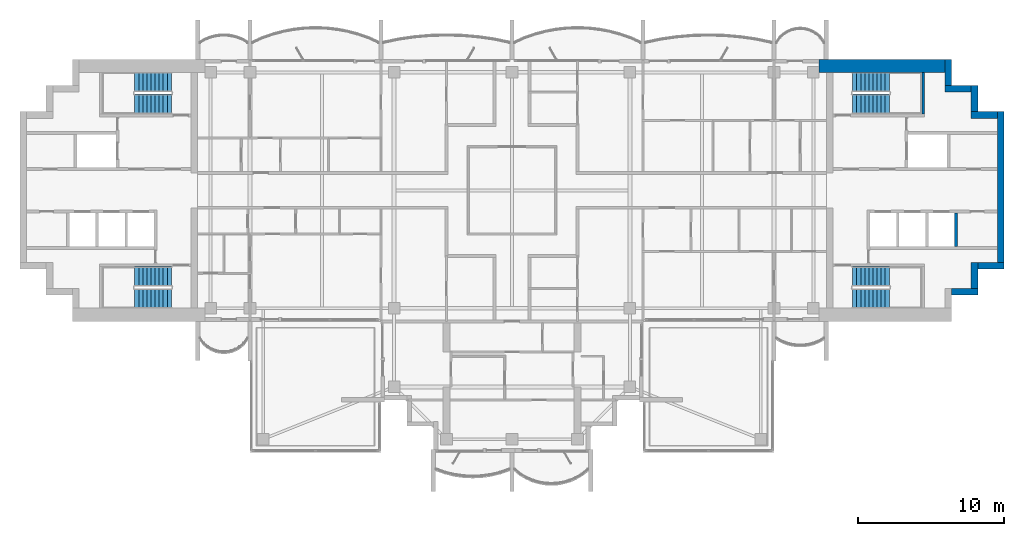
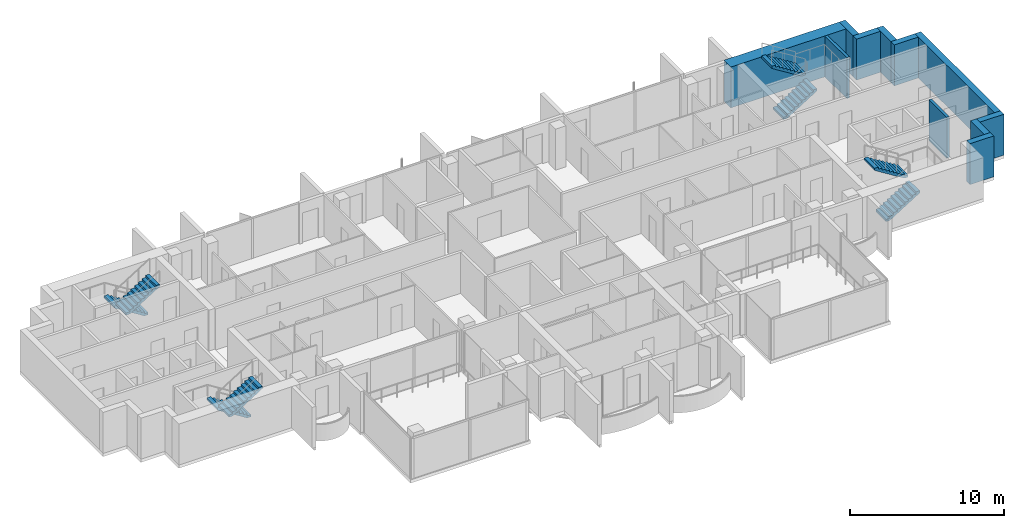
# One storey, part 12 of 16: 11 walls, 8 stair flights, 4 elements without a shape of their own.
"""IFC4 building model written with IfcOpenShell, lengths in metres."""

from ifc_helpers import new_model, si_unit, direction, frame, frame_2d, origin, place, context, subcontext, project, spatial, polyline, rectangle, outline, extrude, material, layer, layer_set, type_object, element, aggregate, save


model = new_model("IFC4")

# Units and contexts
model_context = context("Model", 3, precision=1e-05, world=origin(), true_north=direction((0.0, 1.0)))
body_context = subcontext(model_context, "Body", "Model", "MODEL_VIEW")
ifc_project = project(units=[si_unit("LENGTHUNIT", "METRE"), si_unit("AREAUNIT", "SQUARE_METRE"), si_unit("VOLUMEUNIT", "CUBIC_METRE"), si_unit("PLANEANGLEUNIT", "RADIAN"), si_unit("MASSUNIT", "GRAM", prefix="KILO")], contexts=[model_context])

# Site, building, storey
site_placement = place(None, origin())
site = spatial("IfcSite", under=ifc_project, at=site_placement, CompositionType="ELEMENT")
building_placement = place(site_placement, origin())
building = spatial("IfcBuilding", under=site, at=building_placement, Name="Perihelion Cross Residences", CompositionType="ELEMENT")
storey_placement = place(building_placement, frame((0.0, 0.0, 267.5)))
storey = spatial("IfcBuildingStorey", under=building, at=storey_placement, Name="L68", CompositionType="ELEMENT", Elevation=267.5)

# Walls
ifc_material_1 = material(Name="Concrete C60/75", Category="concrete")
ifc_layer_1 = layer(ifc_material_1, 0.449951171875)
ifc_layer_set_1 = layer_set([ifc_layer_1], Name="Core wall, outer 450")
wall_type_1 = type_object("IfcWallType", Name="Core wall, outer 450", PredefinedType="SHEAR", material=ifc_layer_set_1)
for number, where, z_axis, x_axis, name in (
    (1, (30.199951171875, -6.97509765625, 0.0), (0.0, 0.0, 1.0), (1.0, 0.0, 0.0), "East core core wall, outer"),
    (2, (31.77490234375, -6.75, 0.0), (0.0, 0.0, 1.0), (0.0, 1.0, 0.0), "East core core wall, outer"),
    (3, (32.0, -5.175048828125, 0.0), (0.0, 0.0, 1.0), (1.0, 0.0, 0.0), "East core core wall, outer"),
):
    element("IfcWall", number, at=place(storey_placement, frame(where, z_axis=z_axis, x_axis=x_axis)), inside=storey, type_object=wall_type_1, Name=name, PredefinedType="SHEAR", context=body_context, shape_type="SweptSolid", body=[
        extrude(rectangle(XDim=1.800048828125, YDim=0.449951171875, at=frame_2d((0.89990234375, 0.0))), origin(), (0.0, 0.0, 1.0), 3.25),
    ])
wall_1_placement = place(storey_placement, frame((33.574951171875, -4.949951171875, 0.0), z_axis=(0.0, 0.0, 1.0), x_axis=(0.0, 1.0, 0.0)))
element("IfcWall", 4, at=wall_1_placement, inside=storey, type_object=wall_type_1, Name="East core core wall, outer", PredefinedType="SHEAR", context=body_context, shape_type="SweptSolid", body=[
    extrude(rectangle(XDim=10.349853515625, YDim=0.449951171875, at=frame_2d((5.1748046875, 0.0))), origin(), (0.0, 0.0, 1.0), 3.25),
])
for number, where, z_axis, x_axis, name in (
    (5, (31.550048828125, 5.175048828125, 0.0), (0.0, 0.0, 1.0), (1.0, 0.0, 0.0), "East core core wall, outer"),
    (6, (31.77490234375, 5.39990234375, 0.0), (0.0, 0.0, 1.0), (0.0, 1.0, 0.0), "East core core wall, outer"),
    (7, (29.75, 6.97509765625, 0.0), (0.0, 0.0, 1.0), (1.0, 0.0, 0.0), "East core core wall, outer"),
    (8, (29.97509765625, 7.199951171875, 0.0), (0.0, 0.0, 1.0), (0.0, 1.0, 0.0), "East core core wall, outer"),
):
    element("IfcWall", number, at=place(storey_placement, frame(where, z_axis=z_axis, x_axis=x_axis)), inside=storey, type_object=wall_type_1, Name=name, PredefinedType="SHEAR", context=body_context, shape_type="SweptSolid", body=[
        extrude(rectangle(XDim=1.800048828125, YDim=0.449951171875, at=frame_2d((0.89990234375, 0.0))), origin(), (0.0, 0.0, 1.0), 3.25),
    ])
ifc_material_2 = material(Name="Concrete C60/75", Category="concrete")
ifc_layer_2 = layer(ifc_material_2, 0.89990234375)
ifc_layer_set_2 = layer_set([ifc_layer_2], Name="Core wall, outer 900")
wall_type_2 = type_object("IfcWallType", Name="Core wall, outer 900", PredefinedType="SHEAR", material=ifc_layer_set_2)
wall_2_placement = place(storey_placement, frame((21.10009765625, 8.550048828125, 0.0), z_axis=(0.0, 0.0, 1.0), x_axis=(1.0, 0.0, 0.0)))
element("IfcWall", 9, at=wall_2_placement, inside=storey, type_object=wall_type_2, Name="East core core wall, outer", PredefinedType="SHEAR", context=body_context, shape_type="SweptSolid", body=[
    extrude(rectangle(XDim=8.64990234375, YDim=0.89990234375, at=frame_2d((4.324951171875, 0.0))), origin(), (0.0, 0.0, 1.0), 3.25),
])
ifc_material_3 = material(Name="Concrete C50/60", Category="concrete")
ifc_layer_3 = layer(ifc_material_3, 0.199951171875)
ifc_layer_set_3 = layer_set([ifc_layer_3], Name="Shaft wall 200")
wall_type_3 = type_object("IfcWallType", Name="Shaft wall 200", PredefinedType="SOLIDWALL", material=ifc_layer_set_3)
wall_3_placement = place(storey_placement, frame((30.5, -3.85009765625, 0.0), z_axis=(0.0, 0.0, 1.0), x_axis=(0.0, 1.0, 0.0)))
element("IfcWall", 10, at=wall_3_placement, inside=storey, type_object=wall_type_3, Name="East core shaft wall", PredefinedType="SOLIDWALL", context=body_context, shape_type="SweptSolid", body=[
    extrude(rectangle(XDim=2.300048828125, YDim=0.199951171875, at=frame_2d((1.14990234375, 0.0))), origin(), (0.0, 0.0, 1.0), 3.25),
])
ifc_material_4 = material(Name="Concrete C50/60", Category="concrete")
ifc_layer_4 = layer(ifc_material_4, 0.199951171875)
ifc_layer_set_4 = layer_set([ifc_layer_4], Name="Stair wall 200")
wall_type_4 = type_object("IfcWallType", Name="Stair wall 200", PredefinedType="SOLIDWALL", material=ifc_layer_set_4)
wall_4_placement = place(storey_placement, frame((28.25, 5.25, 0.0), z_axis=(0.0, 0.0, 1.0), x_axis=(0.0, 1.0, 0.0)))
element("IfcWall", 11, at=wall_4_placement, inside=storey, type_object=wall_type_4, Name="East core stair wall", PredefinedType="SOLIDWALL", context=body_context, shape_type="SweptSolid", body=[
    extrude(rectangle(XDim=2.85009765625, YDim=0.199951171875, at=frame_2d((1.425048828125, 0.0))), origin(), (0.0, 0.0, 1.0), 3.25),
])

# Stair, stair flights
ifc_material_5 = material(Name="Concrete C40/50", Category="concrete")
stair_type = type_object("IfcStairType", Name="Exit stair, half-turn", PredefinedType="HALF_TURN_STAIR", material=ifc_material_5)
stair_1_placement = place(storey_placement, origin())
stair_1 = element("IfcStair", 12, at=stair_1_placement, inside=storey, type_object=stair_type, Name="L68 East core exit stair 1", PredefinedType="HALF_TURN_STAIR")
ifc_material_6 = material(Name="Concrete C40/50", Category="concrete")
stair_flight_type = type_object("IfcStairFlightType", Name="Exit stair flight", PredefinedType="STRAIGHT", material=ifc_material_6)
stair_flight_1_placement = place(storey_placement, frame((23.39990234375, 5.925048828125, 0.0), z_axis=(0.0, 0.0, 1.0), x_axis=(1.0, 0.0, 0.0)))
stair_flight_1 = element("IfcStairFlight", 13, at=stair_flight_1_placement, type_object=stair_flight_type, Name="ST-E1 flight 1", NumberOfRisers=10, NumberOfTreads=9, PredefinedType="STRAIGHT", RiserHeight=0.175, TreadLength=0.28, context=body_context, shape_type="SweptSolid", body=[
    extrude(outline(polyline([(0.0, 0.0), (0.0, 0.175048828125), (0.280029296875, 0.175048828125), (0.280029296875, 0.35009765625), (0.56005859375, 0.35009765625), (0.56005859375, 0.52490234375), (0.840087890625, 0.52490234375), (0.840087890625, 0.699951171875), (1.1201171875, 0.699951171875), (1.1201171875, 0.875), (1.39990234375, 0.875), (1.39990234375, 1.050048828125), (1.679931640625, 1.050048828125), (1.679931640625, 1.22509765625), (1.9599609375, 1.22509765625), (1.9599609375, 1.39990234375), (2.239990234375, 1.39990234375), (2.239990234375, 1.574951171875), (2.52001953125, 1.574951171875), (2.52001953125, 1.75), (2.52001953125, 1.398193359375), (0.28271484375, 0.0), (0.0, 0.0)])), frame((0.0, 0.675048828125, 0.0), z_axis=(0.0, -1.0, 0.0), x_axis=(1.0, 0.0, 0.0)), (0.0, 0.0, 1.0), 1.35009765625),
])
stair_flight_2_placement = place(storey_placement, frame((25.919921875, 7.425048828125, 1.75), z_axis=(0.0, 0.0, 1.0), x_axis=(-1.0, 0.0, 0.0)))
stair_flight_2 = element("IfcStairFlight", 14, at=stair_flight_2_placement, type_object=stair_flight_type, Name="ST-E1 flight 2", NumberOfRisers=10, NumberOfTreads=9, PredefinedType="STRAIGHT", RiserHeight=0.175, TreadLength=0.28, context=body_context, shape_type="SweptSolid", body=[
    extrude(outline(polyline([(0.0, 0.0), (0.0, 0.175048828125), (0.280029296875, 0.175048828125), (0.280029296875, 0.35009765625), (0.56005859375, 0.35009765625), (0.56005859375, 0.52490234375), (0.840087890625, 0.52490234375), (0.840087890625, 0.699951171875), (1.1201171875, 0.699951171875), (1.1201171875, 0.875), (1.39990234375, 0.875), (1.39990234375, 1.050048828125), (1.679931640625, 1.050048828125), (1.679931640625, 1.22509765625), (1.9599609375, 1.22509765625), (1.9599609375, 1.39990234375), (2.239990234375, 1.39990234375), (2.239990234375, 1.574951171875), (2.52001953125, 1.574951171875), (2.52001953125, 1.75), (2.52001953125, 1.398193359375), (0.28271484375, 0.0), (0.0, 0.0)])), frame((0.0, 0.675048828125, 0.0), z_axis=(0.0, -1.0, 0.0), x_axis=(1.0, 0.0, 0.0)), (0.0, 0.0, 1.0), 1.35009765625),
])
aggregate(stair_1, [stair_flight_1, stair_flight_2])

stair_2_placement = place(storey_placement, origin())
stair_2 = element("IfcStair", 15, at=stair_2_placement, inside=storey, type_object=stair_type, Name="L68 East core exit stair 2", PredefinedType="HALF_TURN_STAIR")
stair_flight_3_placement = place(storey_placement, frame((23.39990234375, -7.425048828125, 0.0), z_axis=(0.0, 0.0, 1.0), x_axis=(1.0, 0.0, 0.0)))
stair_flight_3 = element("IfcStairFlight", 16, at=stair_flight_3_placement, type_object=stair_flight_type, Name="ST-E2 flight 1", NumberOfRisers=10, NumberOfTreads=9, PredefinedType="STRAIGHT", RiserHeight=0.175, TreadLength=0.28, context=body_context, shape_type="SweptSolid", body=[
    extrude(outline(polyline([(0.0, 0.0), (0.0, 0.175048828125), (0.280029296875, 0.175048828125), (0.280029296875, 0.35009765625), (0.56005859375, 0.35009765625), (0.56005859375, 0.52490234375), (0.840087890625, 0.52490234375), (0.840087890625, 0.699951171875), (1.1201171875, 0.699951171875), (1.1201171875, 0.875), (1.39990234375, 0.875), (1.39990234375, 1.050048828125), (1.679931640625, 1.050048828125), (1.679931640625, 1.22509765625), (1.9599609375, 1.22509765625), (1.9599609375, 1.39990234375), (2.239990234375, 1.39990234375), (2.239990234375, 1.574951171875), (2.52001953125, 1.574951171875), (2.52001953125, 1.75), (2.52001953125, 1.398193359375), (0.28271484375, 0.0), (0.0, 0.0)])), frame((0.0, 0.675048828125, 0.0), z_axis=(0.0, -1.0, 0.0), x_axis=(1.0, 0.0, 0.0)), (0.0, 0.0, 1.0), 1.35009765625),
])
stair_flight_4_placement = place(storey_placement, frame((25.919921875, -5.925048828125, 1.75), z_axis=(0.0, 0.0, 1.0), x_axis=(-1.0, 0.0, 0.0)))
stair_flight_4 = element("IfcStairFlight", 17, at=stair_flight_4_placement, type_object=stair_flight_type, Name="ST-E2 flight 2", NumberOfRisers=10, NumberOfTreads=9, PredefinedType="STRAIGHT", RiserHeight=0.175, TreadLength=0.28, context=body_context, shape_type="SweptSolid", body=[
    extrude(outline(polyline([(0.0, 0.0), (0.0, 0.175048828125), (0.280029296875, 0.175048828125), (0.280029296875, 0.35009765625), (0.56005859375, 0.35009765625), (0.56005859375, 0.52490234375), (0.840087890625, 0.52490234375), (0.840087890625, 0.699951171875), (1.1201171875, 0.699951171875), (1.1201171875, 0.875), (1.39990234375, 0.875), (1.39990234375, 1.050048828125), (1.679931640625, 1.050048828125), (1.679931640625, 1.22509765625), (1.9599609375, 1.22509765625), (1.9599609375, 1.39990234375), (2.239990234375, 1.39990234375), (2.239990234375, 1.574951171875), (2.52001953125, 1.574951171875), (2.52001953125, 1.75), (2.52001953125, 1.398193359375), (0.28271484375, 0.0), (0.0, 0.0)])), frame((0.0, 0.675048828125, 0.0), z_axis=(0.0, -1.0, 0.0), x_axis=(1.0, 0.0, 0.0)), (0.0, 0.0, 1.0), 1.35009765625),
])
aggregate(stair_2, [stair_flight_3, stair_flight_4])

stair_3_placement = place(storey_placement, origin())
stair_3 = element("IfcStair", 18, at=stair_3_placement, inside=storey, type_object=stair_type, Name="L68 West core exit stair 1", PredefinedType="HALF_TURN_STAIR")
stair_flight_5_placement = place(storey_placement, frame((-23.39990234375, 7.425048828125, 0.0), z_axis=(0.0, 0.0, 1.0), x_axis=(-1.0, 0.0, 0.0)))
stair_flight_5 = element("IfcStairFlight", 19, at=stair_flight_5_placement, type_object=stair_flight_type, Name="ST-W1 flight 1", NumberOfRisers=10, NumberOfTreads=9, PredefinedType="STRAIGHT", RiserHeight=0.175, TreadLength=0.28, context=body_context, shape_type="SweptSolid", body=[
    extrude(outline(polyline([(0.0, 0.0), (0.0, 0.175048828125), (0.280029296875, 0.175048828125), (0.280029296875, 0.35009765625), (0.56005859375, 0.35009765625), (0.56005859375, 0.52490234375), (0.840087890625, 0.52490234375), (0.840087890625, 0.699951171875), (1.1201171875, 0.699951171875), (1.1201171875, 0.875), (1.39990234375, 0.875), (1.39990234375, 1.050048828125), (1.679931640625, 1.050048828125), (1.679931640625, 1.22509765625), (1.9599609375, 1.22509765625), (1.9599609375, 1.39990234375), (2.239990234375, 1.39990234375), (2.239990234375, 1.574951171875), (2.52001953125, 1.574951171875), (2.52001953125, 1.75), (2.52001953125, 1.398193359375), (0.28271484375, 0.0), (0.0, 0.0)])), frame((0.0, 0.675048828125, 0.0), z_axis=(0.0, -1.0, 0.0), x_axis=(1.0, 0.0, 0.0)), (0.0, 0.0, 1.0), 1.35009765625),
])
stair_flight_6_placement = place(storey_placement, frame((-25.919921875, 5.925048828125, 1.75), z_axis=(0.0, 0.0, 1.0), x_axis=(1.0, 0.0, 0.0)))
stair_flight_6 = element("IfcStairFlight", 20, at=stair_flight_6_placement, type_object=stair_flight_type, Name="ST-W1 flight 2", NumberOfRisers=10, NumberOfTreads=9, PredefinedType="STRAIGHT", RiserHeight=0.175, TreadLength=0.28, context=body_context, shape_type="SweptSolid", body=[
    extrude(outline(polyline([(0.0, 0.0), (0.0, 0.175048828125), (0.280029296875, 0.175048828125), (0.280029296875, 0.35009765625), (0.56005859375, 0.35009765625), (0.56005859375, 0.52490234375), (0.840087890625, 0.52490234375), (0.840087890625, 0.699951171875), (1.1201171875, 0.699951171875), (1.1201171875, 0.875), (1.39990234375, 0.875), (1.39990234375, 1.050048828125), (1.679931640625, 1.050048828125), (1.679931640625, 1.22509765625), (1.9599609375, 1.22509765625), (1.9599609375, 1.39990234375), (2.239990234375, 1.39990234375), (2.239990234375, 1.574951171875), (2.52001953125, 1.574951171875), (2.52001953125, 1.75), (2.52001953125, 1.398193359375), (0.28271484375, 0.0), (0.0, 0.0)])), frame((0.0, 0.675048828125, 0.0), z_axis=(0.0, -1.0, 0.0), x_axis=(1.0, 0.0, 0.0)), (0.0, 0.0, 1.0), 1.35009765625),
])
aggregate(stair_3, [stair_flight_5, stair_flight_6])

stair_4_placement = place(storey_placement, origin())
stair_4 = element("IfcStair", 21, at=stair_4_placement, inside=storey, type_object=stair_type, Name="L68 West core exit stair 2", PredefinedType="HALF_TURN_STAIR")
stair_flight_7_placement = place(storey_placement, frame((-23.39990234375, -5.925048828125, 0.0), z_axis=(0.0, 0.0, 1.0), x_axis=(-1.0, 0.0, 0.0)))
stair_flight_7 = element("IfcStairFlight", 22, at=stair_flight_7_placement, type_object=stair_flight_type, Name="ST-W2 flight 1", NumberOfRisers=10, NumberOfTreads=9, PredefinedType="STRAIGHT", RiserHeight=0.175, TreadLength=0.28, context=body_context, shape_type="SweptSolid", body=[
    extrude(outline(polyline([(0.0, 0.0), (0.0, 0.175048828125), (0.280029296875, 0.175048828125), (0.280029296875, 0.35009765625), (0.56005859375, 0.35009765625), (0.56005859375, 0.52490234375), (0.840087890625, 0.52490234375), (0.840087890625, 0.699951171875), (1.1201171875, 0.699951171875), (1.1201171875, 0.875), (1.39990234375, 0.875), (1.39990234375, 1.050048828125), (1.679931640625, 1.050048828125), (1.679931640625, 1.22509765625), (1.9599609375, 1.22509765625), (1.9599609375, 1.39990234375), (2.239990234375, 1.39990234375), (2.239990234375, 1.574951171875), (2.52001953125, 1.574951171875), (2.52001953125, 1.75), (2.52001953125, 1.398193359375), (0.28271484375, 0.0), (0.0, 0.0)])), frame((0.0, 0.675048828125, 0.0), z_axis=(0.0, -1.0, 0.0), x_axis=(1.0, 0.0, 0.0)), (0.0, 0.0, 1.0), 1.35009765625),
])
stair_flight_8_placement = place(storey_placement, frame((-25.919921875, -7.425048828125, 1.75), z_axis=(0.0, 0.0, 1.0), x_axis=(1.0, 0.0, 0.0)))
stair_flight_8 = element("IfcStairFlight", 23, at=stair_flight_8_placement, type_object=stair_flight_type, Name="ST-W2 flight 2", NumberOfRisers=10, NumberOfTreads=9, PredefinedType="STRAIGHT", RiserHeight=0.175, TreadLength=0.28, context=body_context, shape_type="SweptSolid", body=[
    extrude(outline(polyline([(0.0, 0.0), (0.0, 0.175048828125), (0.280029296875, 0.175048828125), (0.280029296875, 0.35009765625), (0.56005859375, 0.35009765625), (0.56005859375, 0.52490234375), (0.840087890625, 0.52490234375), (0.840087890625, 0.699951171875), (1.1201171875, 0.699951171875), (1.1201171875, 0.875), (1.39990234375, 0.875), (1.39990234375, 1.050048828125), (1.679931640625, 1.050048828125), (1.679931640625, 1.22509765625), (1.9599609375, 1.22509765625), (1.9599609375, 1.39990234375), (2.239990234375, 1.39990234375), (2.239990234375, 1.574951171875), (2.52001953125, 1.574951171875), (2.52001953125, 1.75), (2.52001953125, 1.398193359375), (0.28271484375, 0.0), (0.0, 0.0)])), frame((0.0, 0.675048828125, 0.0), z_axis=(0.0, -1.0, 0.0), x_axis=(1.0, 0.0, 0.0)), (0.0, 0.0, 1.0), 1.35009765625),
])
aggregate(stair_4, [stair_flight_7, stair_flight_8])

save(model, "model.ifc")
